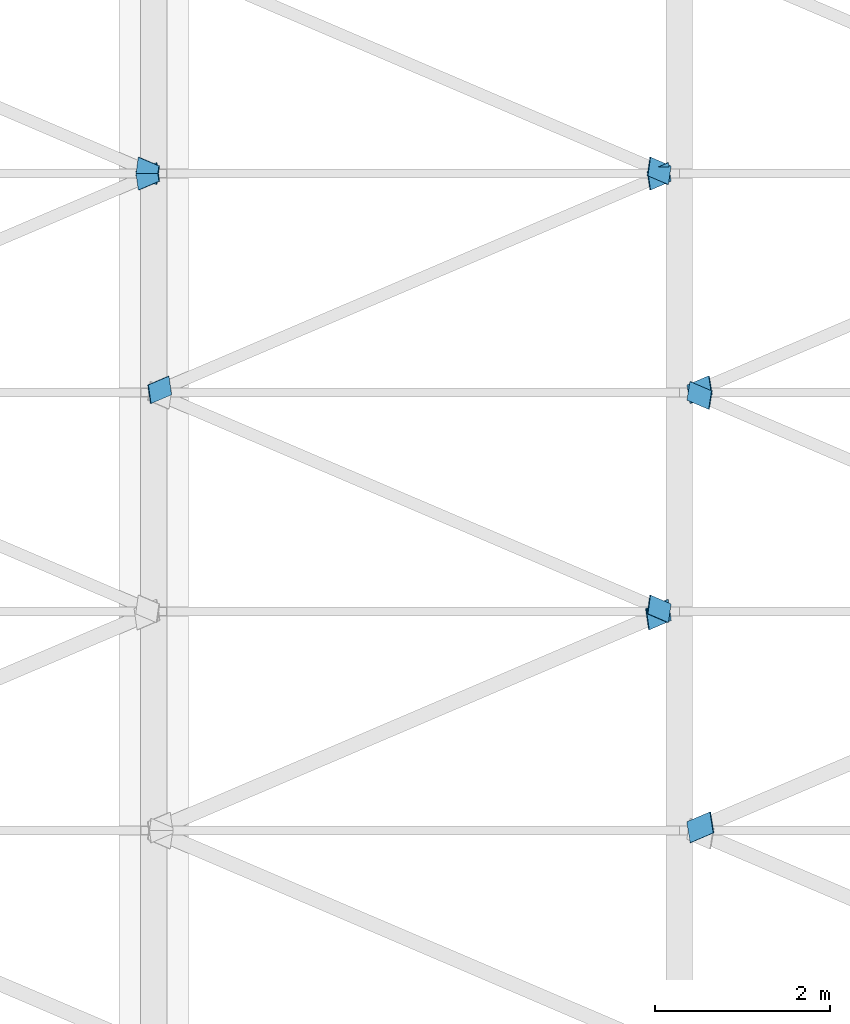
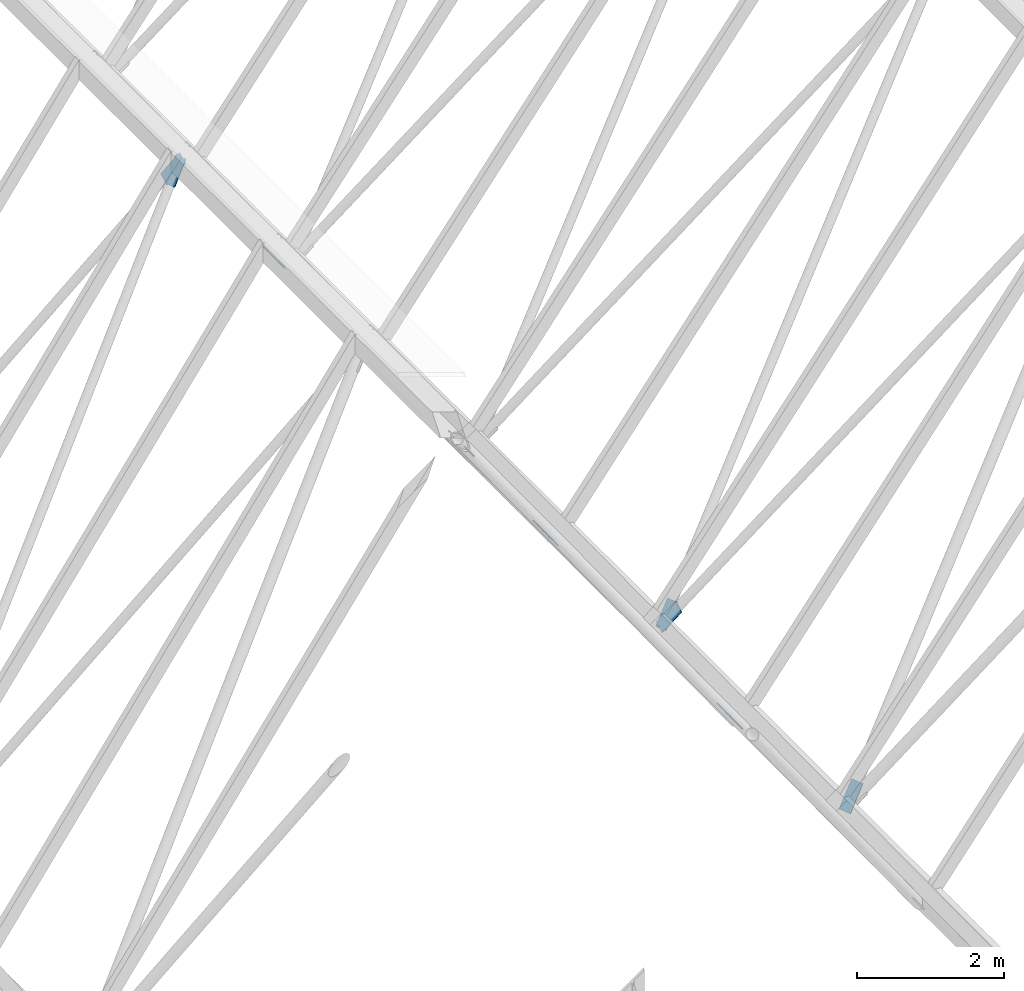
# One storey, part 418 of 483: 10 discrete accessories.
"""IFC4 building model written with IfcOpenShell, lengths in metres."""

from ifc_helpers import new_model, si_unit, direction, frame, origin, place, context, subcontext, project, spatial, polyline, outline, extrude, material, layer, layer_set, type_object, element, save


model = new_model("IFC4")

# Units and contexts
model_context = context("Model", 3, precision=1e-05, world=origin(), true_north=direction((0.0, 1.0)))
body_context = subcontext(model_context, "Body", "Model", "MODEL_VIEW")
ifc_project = project(units=[si_unit("LENGTHUNIT", "METRE"), si_unit("AREAUNIT", "SQUARE_METRE"), si_unit("VOLUMEUNIT", "CUBIC_METRE"), si_unit("PLANEANGLEUNIT", "RADIAN"), si_unit("MASSUNIT", "GRAM", prefix="KILO")], contexts=[model_context])

# Site, building, storey
site_placement = place(None, origin())
site = spatial("IfcSite", under=ifc_project, at=site_placement, CompositionType="ELEMENT")
building_placement = place(site_placement, origin())
building = spatial("IfcBuilding", under=site, at=building_placement, Name="Parallax Yard Mobility Hub", CompositionType="ELEMENT")
storey_placement = place(building_placement, frame((0.0, 0.0, 13.199951171875)))
storey = spatial("IfcBuildingStorey", under=building, at=storey_placement, Name="L04", CompositionType="ELEMENT", Elevation=13.199951171875)

# Discrete accessories
ifc_material = material(Name="Steel ASTM A36", Category="steel")
ifc_layer = layer(ifc_material, 0.011962890625)
ifc_layer_set = layer_set([ifc_layer], Name="Gusset plate PL12")
discrete_accessory_type = type_object("IfcDiscreteAccessoryType", Name="Gusset plate PL12", PredefinedType="BRACKET", material=ifc_layer_set)
discrete_accessory_1_placement = place(storey_placement, frame((68.65869140625, 14.791259765625, 3.678955078125), z_axis=(0.817206306377, 0.000126362615, 0.576345241024), x_axis=(0.559526643566, 0.239641426507, -0.793411571532)))
element("IfcDiscreteAccessory", 1, at=discrete_accessory_1_placement, inside=storey, type_object=discrete_accessory_type, Name="Gusset plate PL12 at end 2 of Plate diagonal plate F10-F11 bay 3", PredefinedType="BRACKET", context=body_context, shape_type="SweptSolid", body=[
    extrude(outline(polyline([(0.0, 0.0), (0.44826092537305107, -2.7755575615628914e-17), (0.44833501109760987, 0.24818065261930278), (-4.0112522624036195e-06, 0.24845142359374953), (0.0, 0.0)])), origin(), (0.0, 0.0, -1.0), 0.011962890625),
])
discrete_accessory_2_placement = place(storey_placement, frame((69.35009765625, 12.712890625, 3.66748046875), z_axis=(-0.793562548739, -0.000276717844, 0.608488623284), x_axis=(-0.588849048877, -0.251663515801, -0.768063976796)))
element("IfcDiscreteAccessory", 2, at=discrete_accessory_2_placement, inside=storey, type_object=discrete_accessory_type, Name="Gusset plate PL12 at end 1 of Plate diagonal plate F11-F12 bay 3", PredefinedType="BRACKET", context=body_context, shape_type="SweptSolid", body=[
    extrude(outline(polyline([(0.0, 0.0), (0.44818959311966156, -1.3877787807814457e-17), (0.44821672303905474, 0.2484687146965867), (2.7129919393138746e-05, 0.24846871469658674), (0.0, 0.0)])), origin(), (0.0, 0.0, -1.0), 0.011962890625),
])
discrete_accessory_3_placement = place(storey_placement, frame((68.642333984375, 14.974609375, 3.7021484375), z_axis=(0.817166710519, 0.000464958066, 0.576401206656), x_axis=(0.559774062579, -0.239096466815, -0.793401461065)))
element("IfcDiscreteAccessory", 3, at=discrete_accessory_3_placement, inside=storey, type_object=discrete_accessory_type, Name="Gusset plate PL12 at end 1 of Plate diagonal plate F10-F11 bay 4", PredefinedType="BRACKET", context=body_context, shape_type="SweptSolid", body=[
    extrude(outline(polyline([(0.0, 0.0), (0.41967062718625203, 1.3877787807814457e-17), (0.4197486118976303, 0.21952041314712403), (0.00021331307911515163, 0.21980523679261565), (0.0, 0.0)])), origin(), (0.0, 0.0, -1.0), 0.011962890625),
])
discrete_accessory_4_placement = place(storey_placement, frame((69.369140625, 17.520751953125, 3.6923828125), z_axis=(-0.793746279753, -0.000395732461, 0.60824886911), x_axis=(-0.588727021511, 0.251817570299, -0.768107027328)))
element("IfcDiscreteAccessory", 4, at=discrete_accessory_4_placement, inside=storey, type_object=discrete_accessory_type, Name="Gusset plate PL12 at end 2 of Plate diagonal plate F11-F12 bay 4", PredefinedType="BRACKET", context=body_context, shape_type="SweptSolid", body=[
    extrude(outline(polyline([(0.0, 0.0), (0.41979934980703304, -4.163336342344337e-17), (0.41984097338065895, 0.2197380657558558), (-0.00010210860936022553, 0.21970074549524257), (0.0, 0.0)])), origin(), (0.0, 0.0, -1.0), 0.011962890625),
])
discrete_accessory_5_placement = place(storey_placement, frame((63.175048828125, 17.68798828125, 11.4501953125), z_axis=(0.817216414757, -0.000113800611, 0.57633091059), x_axis=(-0.559559267154, -0.239644913639, 0.793387510558)))
element("IfcDiscreteAccessory", 5, at=discrete_accessory_5_placement, inside=storey, type_object=discrete_accessory_type, Name="Gusset plate PL12 at end 1 of Plate diagonal plate F10-F11 bay 5", PredefinedType="BRACKET", context=body_context, shape_type="SweptSolid", body=[
    extrude(outline(polyline([(0.0, 0.0), (0.41972907319877845, -1.3877787807814457e-17), (0.41977508360439614, 0.2195204334354663), (0.00010451746461155598, 0.2197574599488595), (0.0, 0.0)])), origin(), (0.0, 0.0, -1.0), 0.011962890625),
])
discrete_accessory_6_placement = place(storey_placement, frame((68.672607421875, 19.81201171875, 3.658935546875), z_axis=(0.817166710519, -0.000464958066, 0.576401206656), x_axis=(0.559680620735, 0.239755623166, -0.793268456409)))
element("IfcDiscreteAccessory", 6, at=discrete_accessory_6_placement, inside=storey, type_object=discrete_accessory_type, Name="Gusset plate PL12 at end 2 of Plate diagonal plate F10-F11 bay 5", PredefinedType="BRACKET", context=body_context, shape_type="SweptSolid", body=[
    extrude(outline(polyline([(0.0, 0.0), (0.41953539550227437, -1.3877787807814457e-17), (0.419606443774865, 0.21952041550170728), (-6.408669646303794e-05, 0.2198053309563326), (0.0, 0.0)])), origin(), (0.0, 0.0, -1.0), 0.011962890625),
])
discrete_accessory_7_placement = place(storey_placement, frame((69.335693359375, 17.69189453125, 3.6484375), z_axis=(-0.793746279753, 0.000395732461, 0.60824886911), x_axis=(-0.588740604162, -0.251731563359, -0.768124808231)))
element("IfcDiscreteAccessory", 7, at=discrete_accessory_7_placement, inside=storey, type_object=discrete_accessory_type, Name="Gusset plate PL12 at end 1 of Plate diagonal plate F11-F12 bay 5", PredefinedType="BRACKET", context=body_context, shape_type="SweptSolid", body=[
    extrude(outline(polyline([(0.0, 0.0), (0.4199430836483414, 0.0), (0.4198819319954805, 0.21973806118904854), (8.258384620210557e-05, 0.21970075370203399), (0.0, 0.0)])), origin(), (0.0, 0.0, -1.0), 0.011962890625),
])
discrete_accessory_8_placement = place(storey_placement, frame((62.824951171875, 19.81201171875, 11.4501953125), z_axis=(-0.817216414757, 0.000113800611, 0.57633091059), x_axis=(0.559559267154, 0.239644913639, 0.793387510558)))
element("IfcDiscreteAccessory", 8, at=discrete_accessory_8_placement, inside=storey, type_object=discrete_accessory_type, Name="Gusset plate PL12 at end 2 of Plate diagonal plate F9-F10 bay 5", PredefinedType="BRACKET", context=body_context, shape_type="SweptSolid", body=[
    extrude(outline(polyline([(0.0, 0.0), (0.41972907319877845, -1.3877787807814457e-17), (0.41977508360439614, 0.2195204334354663), (0.00010451746461155598, 0.2197574599488595), (0.0, 0.0)])), origin(), (0.0, 0.0, -1.0), 0.011962890625),
])
discrete_accessory_9_placement = place(storey_placement, frame((68.642333984375, 19.974609375, 3.7021484375), z_axis=(0.817166710519, 0.000464958066, 0.576401206656), x_axis=(0.559774062579, -0.239096466815, -0.793401461065)))
element("IfcDiscreteAccessory", 9, at=discrete_accessory_9_placement, inside=storey, type_object=discrete_accessory_type, Name="Gusset plate PL12 at end 1 of Plate diagonal plate F10-F11 bay 6", PredefinedType="BRACKET", context=body_context, shape_type="SweptSolid", body=[
    extrude(outline(polyline([(0.0, 0.0), (0.41967062718625203, 1.3877787807814457e-17), (0.4197486118976303, 0.21952041314712403), (0.00021331307911515163, 0.21980523679261565), (0.0, 0.0)])), origin(), (0.0, 0.0, -1.0), 0.011962890625),
])
discrete_accessory_10_placement = place(storey_placement, frame((62.794677734375, 19.974609375, 11.4072265625), z_axis=(-0.817216414757, -0.000113800611, 0.57633091059), x_axis=(0.559637132998, -0.239096541355, 0.793498029791)))
element("IfcDiscreteAccessory", 10, at=discrete_accessory_10_placement, inside=storey, type_object=discrete_accessory_type, Name="Gusset plate PL12 at end 1 of Plate diagonal plate F9-F10 bay 6", PredefinedType="BRACKET", context=body_context, shape_type="SweptSolid", body=[
    extrude(outline(polyline([(0.0, 0.0), (0.41967063307510005, 0.0), (0.419748606007688, 0.2195204244093797), (1.9599753546109544e-05, 0.21975748392927294), (0.0, 0.0)])), origin(), (0.0, 0.0, -1.0), 0.011962890625),
])

save(model, "model.ifc")
